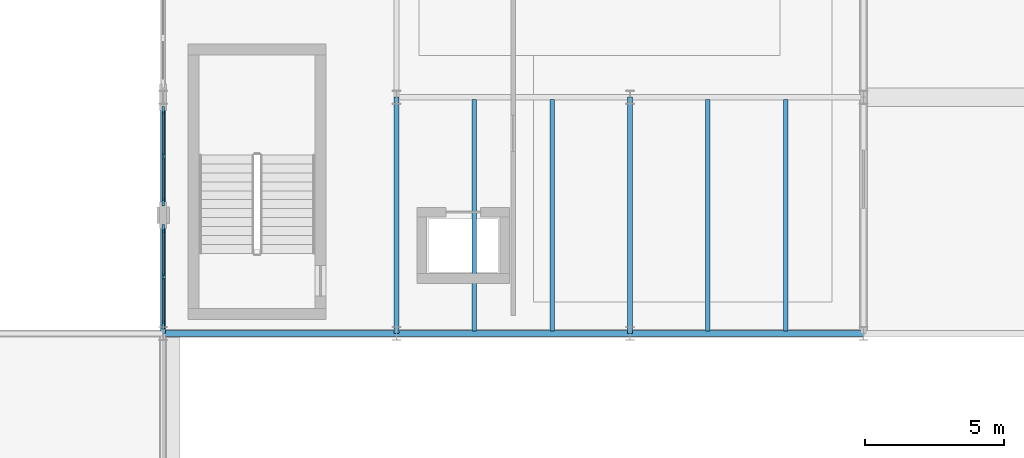
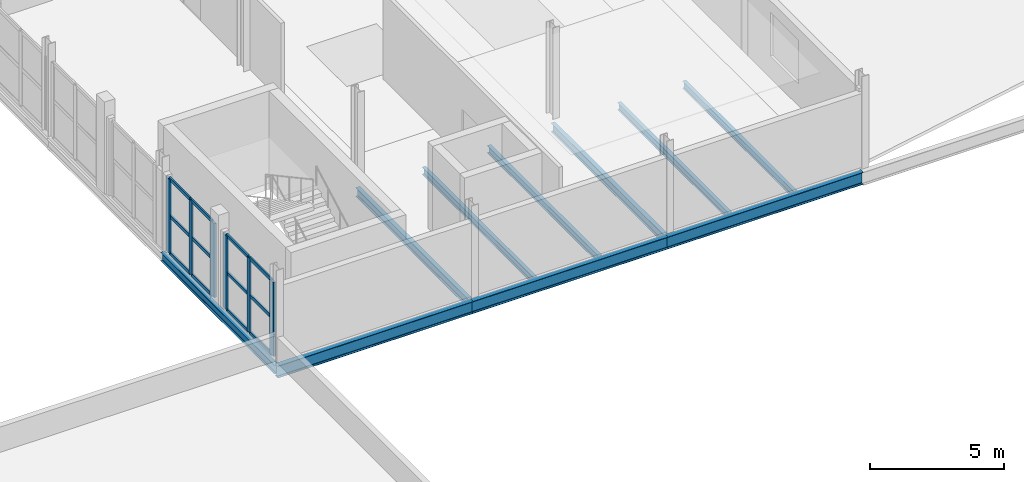
# One storey, part 17 of 58: 18 members, 10 beams, 2 elements without a shape of their own.
"""IFC4 building model written with IfcOpenShell, lengths in metres."""

from ifc_helpers import new_model, si_unit, direction, frame, origin, origin_2d, place, context, subcontext, project, spatial, rectangle, i_section, extrude, material, layer, layer_set, material_profile, profile_set, type_object, element, aggregate, save


model = new_model("IFC4")

# Units and contexts
model_context = context("Model", 3, precision=1e-05, world=origin(), true_north=direction((0.0, 1.0)))
body_context = subcontext(model_context, "Body", "Model", "MODEL_VIEW")
ifc_project = project(units=[si_unit("LENGTHUNIT", "METRE"), si_unit("AREAUNIT", "SQUARE_METRE"), si_unit("VOLUMEUNIT", "CUBIC_METRE"), si_unit("PLANEANGLEUNIT", "RADIAN"), si_unit("MASSUNIT", "GRAM", prefix="KILO")], contexts=[model_context])

# Site, building, storey
site_placement = place(None, origin())
site = spatial("IfcSite", under=ifc_project, at=site_placement, CompositionType="ELEMENT")
building_placement = place(site_placement, origin())
building = spatial("IfcBuilding", under=site, at=building_placement, Name="Sefraquen Railside Congress Hotel", CompositionType="ELEMENT")
storey_placement = place(building_placement, frame((0.0, 0.0, 16.199951171875)))
storey = spatial("IfcBuildingStorey", under=building, at=storey_placement, Name="L03", CompositionType="ELEMENT", Elevation=16.199951171875)

# Beams
ifc_material_1 = material(Name="Steel S355JR", Category="steel")
ifc_material_profile_1 = material_profile(ifc_material_1, i_section(OverallWidth=0.179931640625, OverallDepth=0.39990234375, WebThickness=0.008544921875, FlangeThickness=0.013427734375, FilletRadius=0.02099609375, at=origin_2d()), Name="IPE 400")
ifc_profile_set_1 = profile_set([ifc_material_profile_1], Name="Steel S355JR")
beam_type_1 = type_object("IfcBeamType", Name="TB-BM-400I", PredefinedType="BEAM", material=ifc_profile_set_1)
for number, where, z_axis, x_axis, name in (
    (1, (103.199951171875, 54.0, -0.47998046875), (0.0, 1.0, 0.0), (-1.0, 0.0, 0.0), "Floor beam BM-L03-1223"),
    (2, (111.60009765625, 54.0, -0.47998046875), (0.0, 1.0, 0.0), (-1.0, 0.0, 0.0), "Floor beam BM-L03-1231"),
    (3, (120.0, 54.0, -0.47998046875), (0.0, 1.0, 0.0), (-1.0, 0.0, 0.0), "Floor beam BM-L03-1239"),
):
    element("IfcBeam", number, at=place(storey_placement, frame(where, z_axis=z_axis, x_axis=x_axis)), inside=storey, type_object=beam_type_1, Name=name, PredefinedType="BEAM", context=body_context, shape_type="SweptSolid", body=[
        extrude(i_section(OverallWidth=0.179931640625, OverallDepth=0.39990234375, WebThickness=0.008544921875, FlangeThickness=0.013427734375, FilletRadius=0.02099609375, at=origin_2d()), origin(), (0.0, 0.0, 1.0), 8.5),
    ])
ifc_material_profile_2 = material_profile(ifc_material_1, i_section(OverallWidth=0.2099609375, OverallDepth=0.550048828125, WebThickness=0.010986328125, FlangeThickness=0.01708984375, FilletRadius=0.02392578125, at=origin_2d()), Name="IPE 550")
ifc_profile_set_2 = profile_set([ifc_material_profile_2], Name="Steel S355JR")
beam_type_2 = type_object("IfcBeamType", Name="TB-GIR-550", PredefinedType="T_BEAM", material=ifc_profile_set_2)
beam_placement = place(storey_placement, frame((103.199951171875, 54.0, -0.554931640625), z_axis=(1.0, 0.0, 0.0), x_axis=(0.0, 1.0, 0.0)))
element("IfcBeam", 4, at=beam_placement, inside=storey, type_object=beam_type_2, Name="Primary girder BM-L03-1020", PredefinedType="T_BEAM", context=body_context, shape_type="SweptSolid", body=[
    extrude(i_section(OverallWidth=0.2099609375, OverallDepth=0.550048828125, WebThickness=0.010986328125, FlangeThickness=0.01708984375, FilletRadius=0.02392578125, at=origin_2d()), origin(), (0.0, 0.0, 1.0), 8.400146484375),
])
for number, where, z_axis, x_axis, name in (
    (5, (111.60009765625, 54.0, -0.554931640625), (1.0, 0.0, 0.0), (0.0, 1.0, 0.0), "Primary girder BM-L03-1021"),
    (6, (120.0, 54.0, -0.554931640625), (1.0, 0.0, 0.0), (0.0, 1.0, 0.0), "Primary girder BM-L03-1022"),
):
    element("IfcBeam", number, at=place(storey_placement, frame(where, z_axis=z_axis, x_axis=x_axis)), inside=storey, type_object=beam_type_2, Name=name, PredefinedType="T_BEAM", context=body_context, shape_type="SweptSolid", body=[
        extrude(i_section(OverallWidth=0.2099609375, OverallDepth=0.550048828125, WebThickness=0.010986328125, FlangeThickness=0.01708984375, FilletRadius=0.02392578125, at=origin_2d()), origin(), (0.0, 0.0, 1.0), 8.39990234375),
    ])
ifc_material_profile_3 = material_profile(ifc_material_1, i_section(OverallWidth=0.159912109375, OverallDepth=0.330078125, WebThickness=0.007568359375, FlangeThickness=0.011474609375, FilletRadius=0.01806640625, at=origin_2d()), Name="IPE 330")
ifc_profile_set_3 = profile_set([ifc_material_profile_3], Name="Steel S355JR")
beam_type_3 = type_object("IfcBeamType", Name="TB-JST-330", PredefinedType="JOIST", material=ifc_profile_set_3)
for number, where, z_axis, x_axis, name in (
    (7, (114.39990234375, 54.0849609375, -0.445068359375), (0.0, 1.0, 0.0), (-1.0, 0.0, 0.0), "Composite floor joist BM-L03-J0802"),
    (8, (117.199951171875, 54.0849609375, -0.445068359375), (0.0, 1.0, 0.0), (-1.0, 0.0, 0.0), "Composite floor joist BM-L03-J0803"),
    (9, (122.800048828125, 54.0849609375, -0.445068359375), (0.0, 1.0, 0.0), (-1.0, 0.0, 0.0), "Composite floor joist BM-L03-J0814"),
    (10, (125.60009765625, 54.0849609375, -0.445068359375), (0.0, 1.0, 0.0), (-1.0, 0.0, 0.0), "Composite floor joist BM-L03-J0815"),
):
    element("IfcBeam", number, at=place(storey_placement, frame(where, z_axis=z_axis, x_axis=x_axis)), inside=storey, type_object=beam_type_3, Name=name, PredefinedType="JOIST", context=body_context, shape_type="SweptSolid", body=[
        extrude(i_section(OverallWidth=0.159912109375, OverallDepth=0.330078125, WebThickness=0.007568359375, FlangeThickness=0.011474609375, FilletRadius=0.01806640625, at=origin_2d()), origin(), (0.0, 0.0, 1.0), 8.330078125),
    ])

# Curtain wall, member
ifc_material_2 = material(Name="Thermally broken anodised aluminium and low-E double glazing", Category="aluminium")
ifc_layer = layer(ifc_material_2, 0.199951171875)
ifc_layer_set = layer_set([ifc_layer], Name="Thermally broken anodised aluminium and low-E double glazing")
curtain_wall_type = type_object("IfcCurtainWallType", Name="TCW-UCW-03", PredefinedType="USERDEFINED", material=ifc_layer_set)
curtain_wall_1_placement = place(storey_placement, origin())
curtain_wall_1 = element("IfcCurtainWall", 11, at=curtain_wall_1_placement, inside=storey, type_object=curtain_wall_type, Name="Meeting Wing L03 courtyard east curtain wall", ObjectType="UNITISED CURTAIN WALL", PredefinedType="USERDEFINED")
ifc_material_3 = material(Name="Thermally broken anodised aluminium 6063-T6", Category="aluminium")
ifc_material_profile_4 = material_profile(ifc_material_3, rectangle(XDim=0.074951171875, YDim=0.219970703125, at=origin_2d()), Name="CWM 75x220")
ifc_profile_set_4 = profile_set([ifc_material_profile_4], Name="Thermally broken anodised aluminium 6063-T6")
member_type_1 = type_object("IfcMemberType", Name="TM-CWM-04", PredefinedType="MULLION", material=ifc_profile_set_4)
member_1_placement = place(storey_placement, frame((103.199951171875, 56.0400390625, 0.0), z_axis=(0.0, 0.0, 1.0), x_axis=(1.0, 0.0, 0.0)))
member_1 = element("IfcMember", 12, at=member_1_placement, type_object=member_type_1, Name="CW-L03-067 mullion 2", PredefinedType="MULLION", context=body_context, shape_type="SweptSolid", body=[
    extrude(rectangle(XDim=0.074951171875, YDim=0.219970703125, at=origin_2d()), origin(), (0.0, 0.0, 1.0), 3.3701171875),
])

curtain_wall_2_placement = place(storey_placement, origin())
curtain_wall_2 = element("IfcCurtainWall", 13, at=curtain_wall_2_placement, inside=storey, type_object=curtain_wall_type, Name="Meeting Wing L03 courtyard east curtain wall bay 2", ObjectType="UNITISED CURTAIN WALL", PredefinedType="USERDEFINED")
member_2_placement = place(storey_placement, frame((103.199951171875, 60.375, 0.0), z_axis=(0.0, 0.0, 1.0), x_axis=(1.0, 0.0, 0.0)))
member_2 = element("IfcMember", 14, at=member_2_placement, type_object=member_type_1, Name="CW-L03-067-S2 mullion 2", PredefinedType="MULLION", context=body_context, shape_type="SweptSolid", body=[
    extrude(rectangle(XDim=0.074951171875, YDim=0.219970703125, at=origin_2d()), origin(), (0.0, 0.0, 1.0), 3.3701171875),
])

# Member
ifc_material_profile_5 = material_profile(ifc_material_3, rectangle(XDim=0.094970703125, YDim=0.300048828125, at=origin_2d()), Name="CWM 95x300")
ifc_profile_set_5 = profile_set([ifc_material_profile_5], Name="Thermally broken anodised aluminium 6063-T6")
member_type_2 = type_object("IfcMemberType", Name="TM-CWM-08", PredefinedType="MULLION", material=ifc_profile_set_5)
member_3_placement = place(storey_placement, frame((103.199951171875, 54.31005859375, 0.0), z_axis=(0.0, 0.0, 1.0), x_axis=(1.0, 0.0, 0.0)))
member_3 = element("IfcMember", 15, at=member_3_placement, type_object=member_type_2, Name="CW-L03-067 mullion 1", PredefinedType="MULLION", context=body_context, shape_type="SweptSolid", body=[
    extrude(rectangle(XDim=0.094970703125, YDim=0.300048828125, at=origin_2d()), origin(), (0.0, 0.0, 1.0), 3.3701171875),
])

member_4_placement = place(storey_placement, frame((103.199951171875, 57.77001953125, 0.0), z_axis=(0.0, 0.0, 1.0), x_axis=(1.0, 0.0, 0.0)))
member_4 = element("IfcMember", 16, at=member_4_placement, type_object=member_type_2, Name="CW-L03-067 mullion 3", PredefinedType="MULLION", context=body_context, shape_type="SweptSolid", body=[
    extrude(rectangle(XDim=0.094970703125, YDim=0.300048828125, at=origin_2d()), origin(), (0.0, 0.0, 1.0), 3.3701171875),
])

member_5_placement = place(storey_placement, frame((103.199951171875, 58.72998046875, 0.0), z_axis=(0.0, 0.0, 1.0), x_axis=(1.0, 0.0, 0.0)))
member_5 = element("IfcMember", 17, at=member_5_placement, type_object=member_type_2, Name="CW-L03-067-S2 mullion 1", PredefinedType="MULLION", context=body_context, shape_type="SweptSolid", body=[
    extrude(rectangle(XDim=0.094970703125, YDim=0.300048828125, at=origin_2d()), origin(), (0.0, 0.0, 1.0), 3.3701171875),
])

member_6_placement = place(storey_placement, frame((103.199951171875, 62.02001953125, 0.0), z_axis=(0.0, 0.0, 1.0), x_axis=(1.0, 0.0, 0.0)))
member_6 = element("IfcMember", 18, at=member_6_placement, type_object=member_type_2, Name="CW-L03-067-S2 mullion 3", PredefinedType="MULLION", context=body_context, shape_type="SweptSolid", body=[
    extrude(rectangle(XDim=0.094970703125, YDim=0.300048828125, at=origin_2d()), origin(), (0.0, 0.0, 1.0), 3.3701171875),
])

ifc_material_profile_6 = material_profile(ifc_material_3, rectangle(XDim=0.070068359375, YDim=0.14990234375, at=origin_2d()), Name="CWT 70x150")
ifc_profile_set_6 = profile_set([ifc_material_profile_6], Name="Thermally broken anodised aluminium 6063-T6")
member_type_3 = type_object("IfcMemberType", Name="TM-CWT-03", PredefinedType="USERDEFINED", material=ifc_profile_set_6)
member_7_placement = place(storey_placement, frame((103.199951171875, 54.35498046875, 0.0), z_axis=(0.0, 1.0, 0.0), x_axis=(-1.0, 0.0, 0.0)))
member_7 = element("IfcMember", 19, at=member_7_placement, type_object=member_type_3, Name="CW-L03-067 transom 1.1", ObjectType="TRANSOM", PredefinedType="USERDEFINED", context=body_context, shape_type="SweptSolid", body=[
    extrude(rectangle(XDim=0.070068359375, YDim=0.14990234375, at=origin_2d()), origin(), (0.0, 0.0, 1.0), 1.64013671875),
])

member_8_placement = place(storey_placement, frame((103.199951171875, 56.0849609375, 0.0), z_axis=(0.0, 1.0, 0.0), x_axis=(-1.0, 0.0, 0.0)))
member_8 = element("IfcMember", 20, at=member_8_placement, type_object=member_type_3, Name="CW-L03-067 transom 1.2", ObjectType="TRANSOM", PredefinedType="USERDEFINED", context=body_context, shape_type="SweptSolid", body=[
    extrude(rectangle(XDim=0.070068359375, YDim=0.14990234375, at=origin_2d()), origin(), (0.0, 0.0, 1.0), 1.64013671875),
])

member_9_placement = place(storey_placement, frame((103.199951171875, 54.35498046875, 1.68505859375), z_axis=(0.0, 1.0, 0.0), x_axis=(-1.0, 0.0, 0.0)))
member_9 = element("IfcMember", 21, at=member_9_placement, type_object=member_type_3, Name="CW-L03-067 transom 2.1", ObjectType="TRANSOM", PredefinedType="USERDEFINED", context=body_context, shape_type="SweptSolid", body=[
    extrude(rectangle(XDim=0.070068359375, YDim=0.14990234375, at=origin_2d()), origin(), (0.0, 0.0, 1.0), 1.64013671875),
])

member_10_placement = place(storey_placement, frame((103.199951171875, 56.0849609375, 1.68505859375), z_axis=(0.0, 1.0, 0.0), x_axis=(-1.0, 0.0, 0.0)))
member_10 = element("IfcMember", 22, at=member_10_placement, type_object=member_type_3, Name="CW-L03-067 transom 2.2", ObjectType="TRANSOM", PredefinedType="USERDEFINED", context=body_context, shape_type="SweptSolid", body=[
    extrude(rectangle(XDim=0.070068359375, YDim=0.14990234375, at=origin_2d()), origin(), (0.0, 0.0, 1.0), 1.64013671875),
])

member_11_placement = place(storey_placement, frame((103.199951171875, 54.35498046875, 3.3701171875), z_axis=(0.0, 1.0, 0.0), x_axis=(-1.0, 0.0, 0.0)))
member_11 = element("IfcMember", 23, at=member_11_placement, type_object=member_type_3, Name="CW-L03-067 transom 3.1", ObjectType="TRANSOM", PredefinedType="USERDEFINED", context=body_context, shape_type="SweptSolid", body=[
    extrude(rectangle(XDim=0.070068359375, YDim=0.14990234375, at=origin_2d()), origin(), (0.0, 0.0, 1.0), 1.64013671875),
])

member_12_placement = place(storey_placement, frame((103.199951171875, 56.0849609375, 3.3701171875), z_axis=(0.0, 1.0, 0.0), x_axis=(-1.0, 0.0, 0.0)))
member_12 = element("IfcMember", 24, at=member_12_placement, type_object=member_type_3, Name="CW-L03-067 transom 3.2", ObjectType="TRANSOM", PredefinedType="USERDEFINED", context=body_context, shape_type="SweptSolid", body=[
    extrude(rectangle(XDim=0.070068359375, YDim=0.14990234375, at=origin_2d()), origin(), (0.0, 0.0, 1.0), 1.64013671875),
])

aggregate(curtain_wall_1, [member_3, member_1, member_4, member_7, member_8, member_9, member_10, member_11, member_12])

member_13_placement = place(storey_placement, frame((103.199951171875, 58.77490234375, 0.0), z_axis=(0.0, 1.0, 0.0), x_axis=(-1.0, 0.0, 0.0)))
member_13 = element("IfcMember", 25, at=member_13_placement, type_object=member_type_3, Name="CW-L03-067-S2 transom 1.1", ObjectType="TRANSOM", PredefinedType="USERDEFINED", context=body_context, shape_type="SweptSolid", body=[
    extrude(rectangle(XDim=0.070068359375, YDim=0.14990234375, at=origin_2d()), origin(), (0.0, 0.0, 1.0), 1.55517578125),
])

member_14_placement = place(storey_placement, frame((103.199951171875, 60.419921875, 0.0), z_axis=(0.0, 1.0, 0.0), x_axis=(-1.0, 0.0, 0.0)))
member_14 = element("IfcMember", 26, at=member_14_placement, type_object=member_type_3, Name="CW-L03-067-S2 transom 1.2", ObjectType="TRANSOM", PredefinedType="USERDEFINED", context=body_context, shape_type="SweptSolid", body=[
    extrude(rectangle(XDim=0.070068359375, YDim=0.14990234375, at=origin_2d()), origin(), (0.0, 0.0, 1.0), 1.55517578125),
])

member_15_placement = place(storey_placement, frame((103.199951171875, 58.77490234375, 1.68505859375), z_axis=(0.0, 1.0, 0.0), x_axis=(-1.0, 0.0, 0.0)))
member_15 = element("IfcMember", 27, at=member_15_placement, type_object=member_type_3, Name="CW-L03-067-S2 transom 2.1", ObjectType="TRANSOM", PredefinedType="USERDEFINED", context=body_context, shape_type="SweptSolid", body=[
    extrude(rectangle(XDim=0.070068359375, YDim=0.14990234375, at=origin_2d()), origin(), (0.0, 0.0, 1.0), 1.55517578125),
])

member_16_placement = place(storey_placement, frame((103.199951171875, 60.419921875, 1.68505859375), z_axis=(0.0, 1.0, 0.0), x_axis=(-1.0, 0.0, 0.0)))
member_16 = element("IfcMember", 28, at=member_16_placement, type_object=member_type_3, Name="CW-L03-067-S2 transom 2.2", ObjectType="TRANSOM", PredefinedType="USERDEFINED", context=body_context, shape_type="SweptSolid", body=[
    extrude(rectangle(XDim=0.070068359375, YDim=0.14990234375, at=origin_2d()), origin(), (0.0, 0.0, 1.0), 1.55517578125),
])

member_17_placement = place(storey_placement, frame((103.199951171875, 58.77490234375, 3.3701171875), z_axis=(0.0, 1.0, 0.0), x_axis=(-1.0, 0.0, 0.0)))
member_17 = element("IfcMember", 29, at=member_17_placement, type_object=member_type_3, Name="CW-L03-067-S2 transom 3.1", ObjectType="TRANSOM", PredefinedType="USERDEFINED", context=body_context, shape_type="SweptSolid", body=[
    extrude(rectangle(XDim=0.070068359375, YDim=0.14990234375, at=origin_2d()), origin(), (0.0, 0.0, 1.0), 1.55517578125),
])

member_18_placement = place(storey_placement, frame((103.199951171875, 60.419921875, 3.3701171875), z_axis=(0.0, 1.0, 0.0), x_axis=(-1.0, 0.0, 0.0)))
member_18 = element("IfcMember", 30, at=member_18_placement, type_object=member_type_3, Name="CW-L03-067-S2 transom 3.2", ObjectType="TRANSOM", PredefinedType="USERDEFINED", context=body_context, shape_type="SweptSolid", body=[
    extrude(rectangle(XDim=0.070068359375, YDim=0.14990234375, at=origin_2d()), origin(), (0.0, 0.0, 1.0), 1.55517578125),
])

aggregate(curtain_wall_2, [member_5, member_2, member_6, member_13, member_14, member_15, member_16, member_17, member_18])

save(model, "model.ifc")
